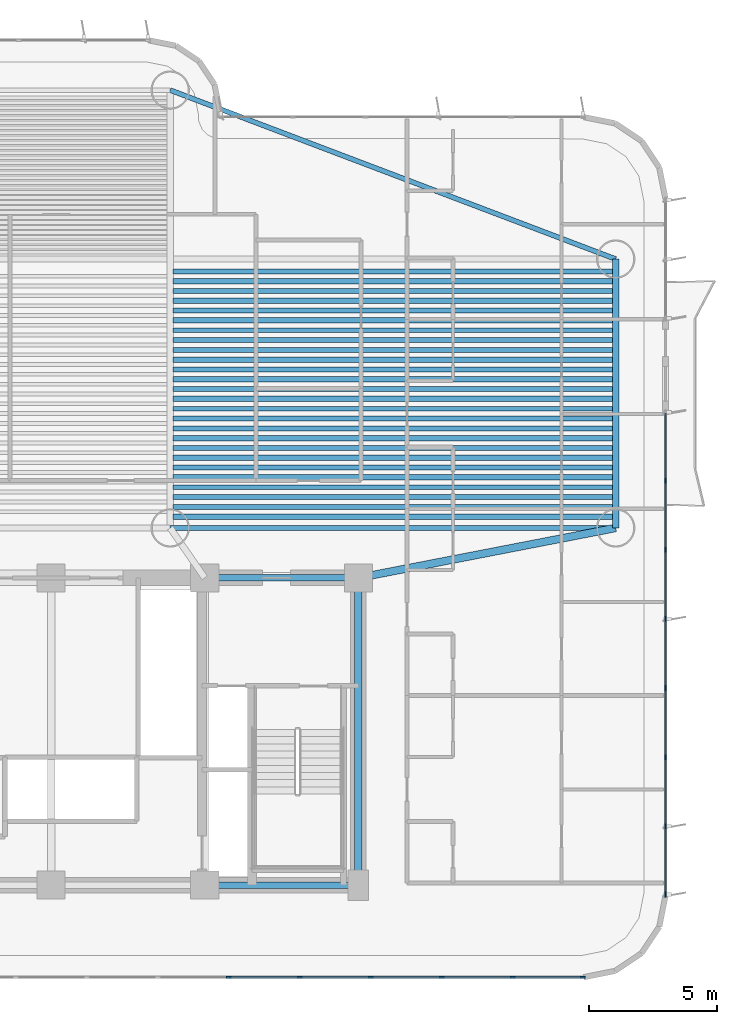
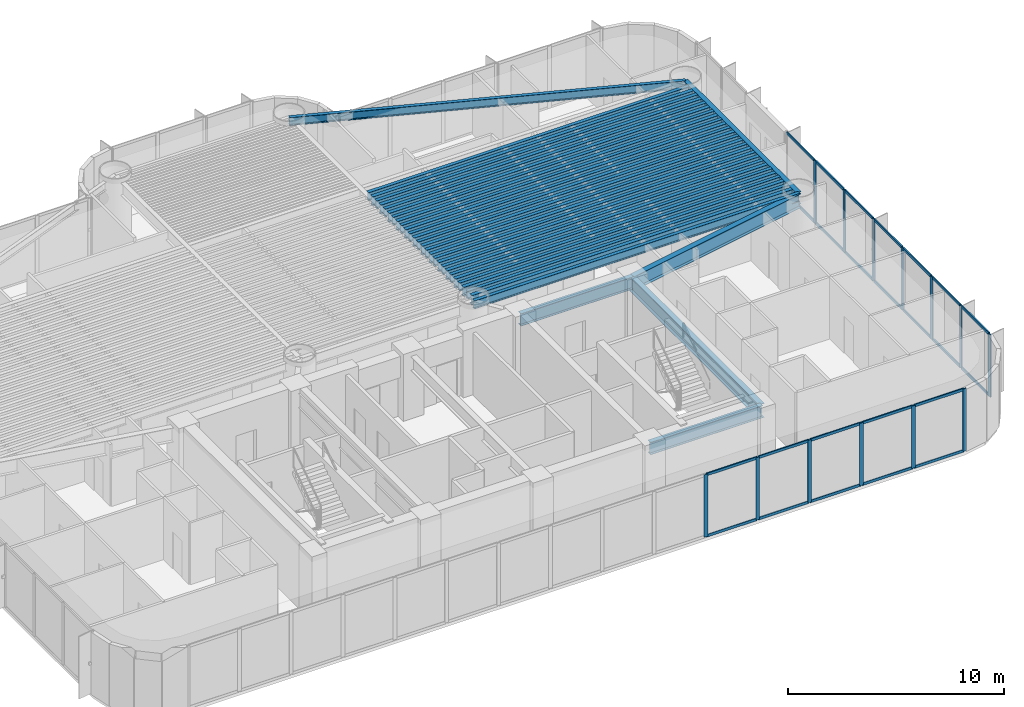
# One storey, part 5 of 19: 37 members, 33 beams, 2 elements without a shape of their own.
"""IFC4 building model written with IfcOpenShell, lengths in metres."""

import ifcopenshell
import ifcopenshell.guid

model = None  # the IFC model being written
_history = None  # IfcOwnerHistory: only IFC2X3 demands one
_inside = {}  # id of a spatial element -> (the spatial element, [elements in it])
_under = {}  # id of a project, library or spatial element -> (it, [spatial elements below it])
_declared = {}  # id of a project -> (the project, [libraries it declares])
_typed = {}  # id of a type object -> (the type object, [elements of that type])
_made_of = {}  # id of a material, layer set ... -> (it, [elements and type objects made of it])


def new_model(schema):
    """Start an empty IFC model of exactly this schema.

    Asked for "IFC4X3", IfcOpenShell would pick the latest addendum, in which some entities
    have other attributes; the version numbers below select the first issue.
    IFC2X3 requires an IfcOwnerHistory on every rooted entity: one is made here for all.
    """
    global model, _history
    if schema == "IFC4X3":
        model = ifcopenshell.file(schema_version=(4, 3, 0, 0))
    else:
        model = ifcopenshell.file(schema=schema)
    _inside.clear()
    _under.clear()
    _declared.clear()
    _typed.clear()
    _made_of.clear()
    _history = None
    if model.schema == "IFC2X3":
        org = make("IfcOrganization", Name="unknown")
        user = make(
            "IfcPersonAndOrganization",
            ThePerson=make("IfcPerson", FamilyName="unknown"),
            TheOrganization=org,
        )
        app = make(
            "IfcApplication",
            ApplicationDeveloper=org,
            Version="unknown",
            ApplicationFullName="unknown",
            ApplicationIdentifier="unknown",
        )
        _history = make(
            "IfcOwnerHistory",
            OwningUser=user,
            OwningApplication=app,
            ChangeAction="ADDED",
            CreationDate=0,
        )
    return model


def make(cls, **values):
    """One entity of the class cls with the attributes given. An attribute that is None is left unset."""
    return model.create_entity(
        cls, **{name: value for name, value in values.items() if value is not None}
    )


def rooted(cls, **values):
    """An entity with a GlobalId (a new one), such as an element, a storey or a relation."""
    return make(cls, GlobalId=ifcopenshell.guid.new(), OwnerHistory=_history, **values)


def si_unit(unit_type, name, prefix=None):
    """IfcSIUnit, for example si_unit("LENGTHUNIT", "METRE", prefix="MILLI")."""
    return make("IfcSIUnit", UnitType=unit_type, Prefix=prefix, Name=name)


def assignment(units):
    """IfcUnitAssignment: the units of a project."""
    return None if units is None else make("IfcUnitAssignment", Units=units)


def point(xyz):
    """IfcCartesianPoint."""
    return None if xyz is None else make("IfcCartesianPoint", Coordinates=xyz)


def direction(xyz):
    """IfcDirection."""
    return None if xyz is None else make("IfcDirection", DirectionRatios=xyz)


def frame(location, z_axis=None, x_axis=None):
    """IfcAxis2Placement3D, a coordinate frame: its origin and axes. An axis left out is left unset."""
    return make(
        "IfcAxis2Placement3D",
        Location=point(location),
        Axis=direction(z_axis),
        RefDirection=direction(x_axis),
    )


def frame_2d(location, x_axis=None):
    """IfcAxis2Placement2D, a coordinate frame in the plane: its origin and x axis."""
    return make(
        "IfcAxis2Placement2D", Location=point(location), RefDirection=direction(x_axis)
    )


def origin():
    """The frame at (0, 0, 0) with its axes left unset."""
    return frame((0.0, 0.0, 0.0))


def origin_2d():
    """The frame at (0, 0) in the plane with its x axis left unset."""
    return frame_2d((0.0, 0.0))


def place(relative_to, where):
    """IfcLocalPlacement: puts the frame where relative to a parent placement (None: the world)."""
    return make(
        "IfcLocalPlacement", PlacementRelTo=relative_to, RelativePlacement=where
    )


def context(
    kind, dimensions, precision=None, world=None, true_north=None, identifier=None
):
    """IfcGeometricRepresentationContext, for example the 3D "Model" context."""
    return make(
        "IfcGeometricRepresentationContext",
        ContextIdentifier=identifier,
        ContextType=kind,
        CoordinateSpaceDimension=dimensions,
        Precision=precision,
        WorldCoordinateSystem=world,
        TrueNorth=true_north,
    )


def subcontext(parent, identifier, kind, view, scale=None):
    """IfcGeometricRepresentationSubContext, for example "Body" below "Model"."""
    return make(
        "IfcGeometricRepresentationSubContext",
        ContextIdentifier=identifier,
        ContextType=kind,
        ParentContext=parent,
        TargetScale=scale,
        TargetView=view,
    )


def project(units=None, contexts=None):
    """IfcProject with its units and contexts."""
    return rooted(
        "IfcProject",
        Name="project",
        RepresentationContexts=contexts,
        UnitsInContext=assignment(units),
    )


def spatial(cls, under=None, at=None, **own):
    """A site, building, storey or space (cls), placed at a placement, below another one or the project."""
    s = rooted(cls, ObjectPlacement=at, **own)
    if under is not None:
        _under.setdefault(under.id(), (under, []))[1].append(s)
    return s


def profile(cls, at=None, kind="AREA", **sizes):
    """A parametric profile (cls). Its sizes go by their IFC names, for example OverallWidth=200.0."""
    return make(cls, ProfileType=kind, Position=at, **sizes)


def rectangle(**sizes):
    """IfcRectangleProfileDef."""
    return profile("IfcRectangleProfileDef", **sizes)


def i_section(**sizes):
    """IfcIShapeProfileDef."""
    return profile("IfcIShapeProfileDef", **sizes)


def extrude(swept, where, along, depth):
    """IfcExtrudedAreaSolid: the profile swept, set in the frame where, extruded along a direction by depth."""
    return make(
        "IfcExtrudedAreaSolid",
        SweptArea=swept,
        Position=where,
        ExtrudedDirection=direction(along),
        Depth=depth,
    )


def shape(context_of_items, identifier, shape_type, items):
    """IfcShapeRepresentation: the items that make up one representation, for example the "Body"."""
    return make(
        "IfcShapeRepresentation",
        ContextOfItems=context_of_items,
        RepresentationIdentifier=identifier,
        RepresentationType=shape_type,
        Items=items,
    )


def source(mapping_origin, context_of_items, identifier, shape_type, items):
    """IfcRepresentationMap: a shape defined once, which mapped items show again and again."""
    return make(
        "IfcRepresentationMap",
        MappingOrigin=mapping_origin,
        MappedRepresentation=shape(context_of_items, identifier, shape_type, items),
    )


def transform(
    local_origin,
    x_axis=None,
    y_axis=None,
    z_axis=None,
    scale=None,
    scale2=None,
    scale3=None,
    uniform=True,
):
    """IfcCartesianTransformationOperator3D, or its non-uniform kind. x_axis, y_axis, z_axis: its Axis1, 2, 3."""
    if uniform:
        return make(
            "IfcCartesianTransformationOperator3D",
            Axis1=direction(x_axis),
            Axis2=direction(y_axis),
            LocalOrigin=point(local_origin),
            Scale=scale,
            Axis3=direction(z_axis),
        )
    return make(
        "IfcCartesianTransformationOperator3DnonUniform",
        Axis1=direction(x_axis),
        Axis2=direction(y_axis),
        LocalOrigin=point(local_origin),
        Scale=scale,
        Axis3=direction(z_axis),
        Scale2=scale2,
        Scale3=scale3,
    )


def mapped(mapping_source, mapping_target):
    """IfcMappedItem: shows the shape of a source again, moved by a transform."""
    return make(
        "IfcMappedItem", MappingSource=mapping_source, MappingTarget=mapping_target
    )


def material(Name=None, Category=None):
    """IfcMaterial."""
    return make("IfcMaterial", Name=Name, Category=Category)


def layer(
    of_material, thickness, ventilated=None, Name=None, Category=None, Priority=None
):
    """IfcMaterialLayer: one layer of a wall or slab, of a material (None: an air gap)."""
    return make(
        "IfcMaterialLayer",
        Material=of_material,
        LayerThickness=thickness,
        IsVentilated=ventilated,
        Name=Name,
        Category=Category,
        Priority=Priority,
    )


def layer_set(layers, Name=None):
    """IfcMaterialLayerSet."""
    return make("IfcMaterialLayerSet", MaterialLayers=layers, LayerSetName=Name)


def material_profile(
    of_material, cross_section, Name=None, Category=None, Priority=None
):
    """IfcMaterialProfile: a cross section and its material."""
    return make(
        "IfcMaterialProfile",
        Name=Name,
        Material=of_material,
        Profile=cross_section,
        Priority=Priority,
        Category=Category,
    )


def profile_set(profiles, Name=None, composite=None):
    """IfcMaterialProfileSet."""
    return make(
        "IfcMaterialProfileSet",
        Name=Name,
        MaterialProfiles=profiles,
        CompositeProfile=composite,
    )


def made_of(thing, what):
    """Note that an element or type object is made of a material, layer set ...; save() writes the relation."""
    if what is not None:
        _made_of.setdefault(what.id(), (what, []))[1].append(thing)
    return thing


def type_object(cls, material=None, **own):
    """A type object (cls), such as IfcWallType, which elements share."""
    return made_of(rooted(cls, **own), material)


def element(
    cls,
    number,
    at=None,
    inside=None,
    cuts=None,
    type_object=None,
    material=None,
    context=None,
    identifier="Body",
    shape_type=None,
    held_by="IfcProductDefinitionShape",
    body=None,
    shapes=None,
    **own,
):
    """One element of the class cls, such as IfcWall. Its Tag is "e" and its number.

    at: its placement. inside: the storey or other place that contains it. cuts: it is an
    opening in that element (IfcRelVoidsElement). A single representation is given by context,
    identifier, shape_type and body (its items); several are given by shapes. held_by: the class
    of the entity that holds the representations. save() writes the other relations.
    """
    e = rooted(cls, Tag="e%d" % number, ObjectPlacement=at, **own)
    if body is not None:
        shapes = [shape(context, identifier, shape_type, body)]
    if shapes is not None:
        e.Representation = make(held_by, Representations=shapes)
    if inside is not None:
        _inside.setdefault(inside.id(), (inside, []))[1].append(e)
    if cuts is not None:
        rooted(
            "IfcRelVoidsElement", RelatingBuildingElement=cuts, RelatedOpeningElement=e
        )
    if type_object is not None:
        _typed.setdefault(type_object.id(), (type_object, []))[1].append(e)
    return made_of(e, material)


def aggregate(whole, parts):
    """IfcRelAggregates: a whole, such as a stair, and the parts it consists of."""
    return rooted("IfcRelAggregates", RelatingObject=whole, RelatedObjects=parts)


def save(model, path):
    """Write the relations noted so far, then the file.

    IfcRelAggregates (storeys below a building ...), IfcRelContainedInSpatialStructure (elements
    in a storey), IfcRelDefinesByType, IfcRelAssociatesMaterial and IfcRelDeclares: one each for
    every whole, place, type object, material and project.
    """
    for whole, parts in _under.values():
        aggregate(whole, parts)
    for where, things in _inside.values():
        rooted(
            "IfcRelContainedInSpatialStructure",
            RelatedElements=things,
            RelatingStructure=where,
        )
    for kind, things in _typed.values():
        rooted("IfcRelDefinesByType", RelatedObjects=things, RelatingType=kind)
    for what, things in _made_of.values():
        rooted("IfcRelAssociatesMaterial", RelatedObjects=things, RelatingMaterial=what)
    for by, libraries in _declared.values():
        rooted("IfcRelDeclares", RelatingContext=by, RelatedDefinitions=libraries)
    model.write(path)


model = new_model("IFC4")

# Units and contexts
model_context = context("Model", 3, precision=1e-05, world=origin(), true_north=direction((0.0, 1.0)))
body_context = subcontext(model_context, "Body", "Model", "MODEL_VIEW")
ifc_project = project(units=[si_unit("LENGTHUNIT", "METRE"), si_unit("AREAUNIT", "SQUARE_METRE"), si_unit("VOLUMEUNIT", "CUBIC_METRE"), si_unit("PLANEANGLEUNIT", "RADIAN"), si_unit("MASSUNIT", "GRAM", prefix="KILO")], contexts=[model_context])

# Site, building, storey
site_placement = place(None, origin())
site = spatial("IfcSite", under=ifc_project, at=site_placement, CompositionType="ELEMENT")
building_placement = place(site_placement, origin())
building = spatial("IfcBuilding", under=site, at=building_placement, Name="Brelvock Crest Care Tower", CompositionType="ELEMENT")
storey_placement = place(building_placement, frame((0.0, 0.0, 30.780029296875)))
storey = spatial("IfcBuildingStorey", under=building, at=storey_placement, Name="L07", CompositionType="ELEMENT", Elevation=30.780029296875)

# Beams
ifc_material_1 = material(Name="Steel Grade 350", Category="steel")
ifc_material_profile_1 = material_profile(ifc_material_1, i_section(OverallWidth=0.25, OverallDepth=0.699951171875, WebThickness=0.011962890625, FlangeThickness=0.02001953125, at=origin_2d()), Name="700WB150")
ifc_profile_set_1 = profile_set([ifc_material_profile_1], Name="Steel Grade 350")
beam_type_1 = type_object("IfcBeamType", Name="BM-G4", PredefinedType="BEAM", material=ifc_profile_set_1)
shared_shape_1 = source(origin(), body_context, "Body", "SweptSolid", [
    extrude(i_section(OverallWidth=0.25, OverallDepth=0.699951171875, WebThickness=0.011962890625, FlangeThickness=0.02001953125, at=origin_2d()), origin(), (0.0, 0.0, 1.0), 6.0),
])
for number, where, z_axis, x_axis, name in (
    (1, (42.0, 6.0, 3.179931640625), (1.0, 0.0, 0.0), (0.0, 1.0, 0.0), "BM-CORES-L07-4"),
    (2, (42.0, 18.0, 3.179931640625), (1.0, 0.0, 0.0), (0.0, 1.0, 0.0), "BM-COREN-L07-4"),
):
    element("IfcBeam", number, at=place(storey_placement, frame(where, z_axis=z_axis, x_axis=x_axis)), inside=storey, type_object=beam_type_1, Name=name, PredefinedType="BEAM", context=body_context, shape_type="MappedRepresentation", body=[
        mapped(shared_shape_1, transform((0.0, 0.0, 0.0), x_axis=(1.0, 0.0, 0.0), y_axis=(0.0, 1.0, 0.0), z_axis=(0.0, 0.0, 1.0), scale=1.0)),
    ])
ifc_material_profile_2 = material_profile(ifc_material_1, i_section(OverallWidth=0.300048828125, OverallDepth=0.800048828125, WebThickness=0.013916015625, FlangeThickness=0.02197265625, at=origin_2d()), Name="800WB192")
ifc_profile_set_2 = profile_set([ifc_material_profile_2], Name="Steel Grade 350")
beam_type_2 = type_object("IfcBeamType", Name="BM-G5", PredefinedType="BEAM", material=ifc_profile_set_2)
shared_shape_2 = source(origin(), body_context, "Body", "SweptSolid", [
    extrude(i_section(OverallWidth=0.300048828125, OverallDepth=0.800048828125, WebThickness=0.013916015625, FlangeThickness=0.02197265625, at=origin_2d()), origin(), (0.0, 0.0, 1.0), 12.0),
])
beam_1_placement = place(storey_placement, frame((48.0, 6.0, 3.1298828125), z_axis=(0.0, 1.0, 0.0), x_axis=(-1.0, 0.0, 0.0)))
element("IfcBeam", 3, at=beam_1_placement, inside=storey, type_object=beam_type_2, Name="BM-COREX-L07-5", PredefinedType="BEAM", context=body_context, shape_type="MappedRepresentation", body=[
    mapped(shared_shape_2, transform((0.0, 0.0, 0.0), x_axis=(1.0, 0.0, 0.0), y_axis=(0.0, 1.0, 0.0), z_axis=(0.0, 0.0, 1.0), scale=1.0)),
])
shared_shape_3 = source(origin(), body_context, "Body", "SweptSolid", [
    extrude(i_section(OverallWidth=0.25, OverallDepth=0.699951171875, WebThickness=0.011962890625, FlangeThickness=0.02001953125, at=origin_2d()), origin(), (0.0, 0.0, 1.0), 10.5),
])
beam_2_placement = place(storey_placement, frame((58.050048828125, 19.949951171875, 3.179931640625), z_axis=(0.0, 1.0, 0.0), x_axis=(-1.0, 0.0, 0.0)))
element("IfcBeam", 4, at=beam_2_placement, inside=storey, type_object=beam_type_1, Name="BM-TWR-L07-02", PredefinedType="BEAM", context=body_context, shape_type="MappedRepresentation", body=[
    mapped(shared_shape_3, transform((0.0, 0.0, 0.0), x_axis=(1.0, 0.0, 0.0), y_axis=(0.0, 1.0, 0.0), z_axis=(0.0, 0.0, 1.0), scale=1.0)),
])
ifc_material_profile_3 = material_profile(ifc_material_1, i_section(OverallWidth=0.19091796875, OverallDepth=0.4599609375, WebThickness=0.010009765625, FlangeThickness=0.01611328125, FilletRadius=0.011474609375, at=origin_2d()), Name="460UB82.1")
ifc_profile_set_3 = profile_set([ifc_material_profile_3], Name="Steel Grade 350")
beam_type_3 = type_object("IfcBeamType", Name="BM-SP2", PredefinedType="SPANDREL", material=ifc_profile_set_3)
shared_shape_4 = source(origin(), body_context, "Body", "SweptSolid", [
    extrude(i_section(OverallWidth=0.19091796875, OverallDepth=0.4599609375, WebThickness=0.010009765625, FlangeThickness=0.01611328125, FilletRadius=0.011474609375, at=origin_2d()), origin(), (0.0, 0.0, 1.0), 17.400146484375),
])
beam_3_placement = place(storey_placement, frame((40.64990234375, 19.949951171875, 3.300048828125), z_axis=(1.0, 0.0, 0.0), x_axis=(0.0, 1.0, 0.0)))
element("IfcBeam", 5, at=beam_3_placement, inside=storey, type_object=beam_type_3, Name="BM-TWR-L07-04", PredefinedType="SPANDREL", context=body_context, shape_type="MappedRepresentation", body=[
    mapped(shared_shape_4, transform((0.0, 0.0, 0.0), x_axis=(1.0, 0.0, 0.0), y_axis=(0.0, 1.0, 0.0), z_axis=(0.0, 0.0, 1.0), scale=1.0)),
])
shared_shape_5 = source(origin(), body_context, "Body", "SweptSolid", [
    extrude(i_section(OverallWidth=0.19091796875, OverallDepth=0.4599609375, WebThickness=0.010009765625, FlangeThickness=0.01611328125, FilletRadius=0.011474609375, at=origin_2d()), origin(), (0.0, 0.0, 1.0), 18.60986328125),
])
beam_4_placement = place(storey_placement, frame((40.64990234375, 37.050048828125, 3.300048828125), z_axis=(0.934996776275, -0.3546562115, 0.0), x_axis=(0.3546562115, 0.934996776275, 0.0)))
element("IfcBeam", 6, at=beam_4_placement, inside=storey, type_object=beam_type_3, Name="BM-TWR-L07-07", PredefinedType="SPANDREL", context=body_context, shape_type="MappedRepresentation", body=[
    mapped(shared_shape_5, transform((0.0, 0.0, 0.0), x_axis=(1.0, 0.0, 0.0), y_axis=(0.0, 1.0, 0.0), z_axis=(0.0, 0.0, 1.0), scale=1.0)),
])
shared_shape_6 = source(origin(), body_context, "Body", "SweptSolid", [
    extrude(i_section(OverallWidth=0.300048828125, OverallDepth=0.800048828125, WebThickness=0.013916015625, FlangeThickness=0.02197265625, at=origin_2d()), origin(), (0.0, 0.0, 1.0), 10.237548828125),
])
beam_5_placement = place(storey_placement, frame((48.0, 18.0, 3.1298828125), z_axis=(0.981692632568, 0.190471979991, 0.0), x_axis=(-0.190471979991, 0.981692632568, 0.0)))
element("IfcBeam", 7, at=beam_5_placement, inside=storey, type_object=beam_type_2, Name="BM-THRO-E-L07", PredefinedType="BEAM", context=body_context, shape_type="MappedRepresentation", body=[
    mapped(shared_shape_6, transform((0.0, 0.0, 0.0), x_axis=(1.0, 0.0, 0.0), y_axis=(0.0, 1.0, 0.0), z_axis=(0.0, 0.0, 1.0), scale=1.0)),
])
ifc_material_profile_4 = material_profile(ifc_material_1, i_section(OverallWidth=0.208984375, OverallDepth=0.532958984375, WebThickness=0.01025390625, FlangeThickness=0.015625, FilletRadius=0.013916015625, at=origin_2d()), Name="530UB92.4")
ifc_profile_set_4 = profile_set([ifc_material_profile_4], Name="Steel Grade 350")
beam_type_4 = type_object("IfcBeamType", Name="BM-G2", PredefinedType="BEAM", material=ifc_profile_set_4)
shared_shape_7 = source(origin(), body_context, "Body", "SweptSolid", [
    extrude(i_section(OverallWidth=0.208984375, OverallDepth=0.532958984375, WebThickness=0.01025390625, FlangeThickness=0.015625, FilletRadius=0.013916015625, at=origin_2d()), origin(), (0.0, 0.0, 1.0), 17.170166015625),
])
for number, where, z_axis, x_axis, name in (
    (8, (40.764892578125, 20.39111328125, 3.263427734375), (1.0, 0.0, 0.0), (0.0, 1.0, 0.0), "BM-JE-L07-1"),
    (9, (40.764892578125, 21.157470703125, 3.263427734375), (1.0, 0.0, 0.0), (0.0, 1.0, 0.0), "BM-JE-L07-3"),
    (10, (40.764892578125, 21.924072265625, 3.263427734375), (1.0, 0.0, 0.0), (0.0, 1.0, 0.0), "BM-JE-L07-5"),
    (11, (40.764892578125, 22.6904296875, 3.263427734375), (1.0, 0.0, 0.0), (0.0, 1.0, 0.0), "BM-JE-L07-7"),
    (12, (40.764892578125, 23.45703125, 3.263427734375), (1.0, 0.0, 0.0), (0.0, 1.0, 0.0), "BM-JE-L07-9"),
    (13, (40.764892578125, 24.223388671875, 3.263427734375), (1.0, 0.0, 0.0), (0.0, 1.0, 0.0), "BM-JE-L07-11"),
    (14, (40.764892578125, 24.989990234375, 3.263427734375), (1.0, 0.0, 0.0), (0.0, 1.0, 0.0), "BM-JE-L07-13"),
    (15, (40.764892578125, 25.756591796875, 3.263427734375), (1.0, 0.0, 0.0), (0.0, 1.0, 0.0), "BM-JE-L07-15"),
    (16, (40.764892578125, 26.52294921875, 3.263427734375), (1.0, 0.0, 0.0), (0.0, 1.0, 0.0), "BM-JE-L07-17"),
    (17, (40.764892578125, 27.28955078125, 3.263427734375), (1.0, 0.0, 0.0), (0.0, 1.0, 0.0), "BM-JE-L07-19"),
    (18, (40.764892578125, 28.055908203125, 3.263427734375), (1.0, 0.0, 0.0), (0.0, 1.0, 0.0), "BM-JE-L07-21"),
    (19, (40.764892578125, 28.822509765625, 3.263427734375), (1.0, 0.0, 0.0), (0.0, 1.0, 0.0), "BM-JE-L07-23"),
    (20, (40.764892578125, 29.589111328125, 3.263427734375), (1.0, 0.0, 0.0), (0.0, 1.0, 0.0), "BM-JE-L07-25"),
):
    element("IfcBeam", number, at=place(storey_placement, frame(where, z_axis=z_axis, x_axis=x_axis)), inside=storey, type_object=beam_type_4, Name=name, PredefinedType="BEAM", context=body_context, shape_type="MappedRepresentation", body=[
        mapped(shared_shape_7, transform((0.0, 0.0, 0.0), x_axis=(1.0, 0.0, 0.0), y_axis=(0.0, 1.0, 0.0), z_axis=(0.0, 0.0, 1.0), scale=1.0)),
    ])
ifc_material_profile_5 = material_profile(ifc_material_1, i_section(OverallWidth=0.19091796875, OverallDepth=0.4599609375, WebThickness=0.010009765625, FlangeThickness=0.01611328125, FilletRadius=0.011474609375, at=origin_2d()), Name="460UB82.1")
ifc_profile_set_5 = profile_set([ifc_material_profile_5], Name="Steel Grade 350")
beam_type_5 = type_object("IfcBeamType", Name="BM-G3", PredefinedType="BEAM", material=ifc_profile_set_5)
shared_shape_8 = source(origin(), body_context, "Body", "SweptSolid", [
    extrude(i_section(OverallWidth=0.19091796875, OverallDepth=0.4599609375, WebThickness=0.010009765625, FlangeThickness=0.01611328125, FilletRadius=0.011474609375, at=origin_2d()), origin(), (0.0, 0.0, 1.0), 17.170166015625),
])
for number, where, z_axis, x_axis, name in (
    (21, (40.764892578125, 20.774169921875, 3.300048828125), (1.0, 0.0, 0.0), (0.0, 1.0, 0.0), "BM-JE-L07-2"),
    (22, (40.764892578125, 21.540771484375, 3.300048828125), (1.0, 0.0, 0.0), (0.0, 1.0, 0.0), "BM-JE-L07-4"),
    (23, (40.764892578125, 22.30712890625, 3.300048828125), (1.0, 0.0, 0.0), (0.0, 1.0, 0.0), "BM-JE-L07-6"),
    (24, (40.764892578125, 23.07373046875, 3.300048828125), (1.0, 0.0, 0.0), (0.0, 1.0, 0.0), "BM-JE-L07-8"),
    (25, (40.764892578125, 23.840087890625, 3.300048828125), (1.0, 0.0, 0.0), (0.0, 1.0, 0.0), "BM-JE-L07-10"),
    (26, (40.764892578125, 24.606689453125, 3.300048828125), (1.0, 0.0, 0.0), (0.0, 1.0, 0.0), "BM-JE-L07-12"),
    (27, (40.764892578125, 25.373291015625, 3.300048828125), (1.0, 0.0, 0.0), (0.0, 1.0, 0.0), "BM-JE-L07-14"),
    (28, (40.764892578125, 26.1396484375, 3.300048828125), (1.0, 0.0, 0.0), (0.0, 1.0, 0.0), "BM-JE-L07-16"),
    (29, (40.764892578125, 26.90625, 3.300048828125), (1.0, 0.0, 0.0), (0.0, 1.0, 0.0), "BM-JE-L07-18"),
    (30, (40.764892578125, 27.6728515625, 3.300048828125), (1.0, 0.0, 0.0), (0.0, 1.0, 0.0), "BM-JE-L07-20"),
    (31, (40.764892578125, 28.439208984375, 3.300048828125), (1.0, 0.0, 0.0), (0.0, 1.0, 0.0), "BM-JE-L07-22"),
    (32, (40.764892578125, 29.205810546875, 3.300048828125), (1.0, 0.0, 0.0), (0.0, 1.0, 0.0), "BM-JE-L07-24"),
    (33, (40.764892578125, 29.97216796875, 3.300048828125), (1.0, 0.0, 0.0), (0.0, 1.0, 0.0), "BM-JE-L07-26"),
):
    element("IfcBeam", number, at=place(storey_placement, frame(where, z_axis=z_axis, x_axis=x_axis)), inside=storey, type_object=beam_type_5, Name=name, PredefinedType="BEAM", context=body_context, shape_type="MappedRepresentation", body=[
        mapped(shared_shape_8, transform((0.0, 0.0, 0.0), x_axis=(1.0, 0.0, 0.0), y_axis=(0.0, 1.0, 0.0), z_axis=(0.0, 0.0, 1.0), scale=1.0)),
    ])

# Curtain wall, members
ifc_material_2 = material(Name="Dark Glass Double Glazed Low-E", Category="glass")
ifc_layer = layer(ifc_material_2, 0.195068359375, Name="CWS-2")
ifc_layer_set = layer_set([ifc_layer], Name="Dark Glass Double Glazed Low-E")
curtain_wall_type = type_object("IfcCurtainWallType", Name="CWS-2", PredefinedType="NOTDEFINED", material=ifc_layer_set)
curtain_wall_1_placement = place(storey_placement, origin())
curtain_wall_1 = element("IfcCurtainWall", 34, at=curtain_wall_1_placement, inside=storey, type_object=curtain_wall_type, Name="L07 Curtain Wall E03B", PredefinedType="NOTDEFINED")
ifc_material_3 = material(Name="Aluminium 6063-T6", Category="aluminium")
ifc_material_profile_6 = material_profile(ifc_material_3, rectangle(XDim=0.06494140625, YDim=0.199951171875, at=origin_2d()), Name="ALU65x200")
ifc_profile_set_6 = profile_set([ifc_material_profile_6], Name="Aluminium 6063-T6")
member_type_1 = type_object("IfcMemberType", Name="CWM-1", PredefinedType="MULLION", material=ifc_profile_set_6)
shared_shape_9 = source(origin(), body_context, "Body", "SweptSolid", [
    extrude(rectangle(XDim=0.06494140625, YDim=0.199951171875, at=origin_2d()), origin(), (0.0, 0.0, 1.0), 3.530029296875),
])
member_1_placement = place(storey_placement, frame((60.0, 21.800048828125, 0.0), z_axis=(0.0, 0.0, 1.0), x_axis=(1.0, 0.0, 0.0)))
member_1 = element("IfcMember", 35, at=member_1_placement, type_object=member_type_1, Name="CW-2 mullion 2", PredefinedType="MULLION", context=body_context, shape_type="MappedRepresentation", body=[
    mapped(shared_shape_9, transform((0.0, 0.0, 0.0), x_axis=(1.0, 0.0, 0.0), y_axis=(0.0, 1.0, 0.0), z_axis=(0.0, 0.0, 1.0), scale=1.0)),
])
member_2_placement = place(storey_placement, frame((60.0, 19.10009765625, 0.0), z_axis=(0.0, 0.0, 1.0), x_axis=(1.0, 0.0, 0.0)))
member_2 = element("IfcMember", 36, at=member_2_placement, type_object=member_type_1, Name="CW-2 mullion 3", PredefinedType="MULLION", context=body_context, shape_type="MappedRepresentation", body=[
    mapped(shared_shape_9, transform((0.0, 0.0, 0.0), x_axis=(1.0, 0.0, 0.0), y_axis=(0.0, 1.0, 0.0), z_axis=(0.0, 0.0, 1.0), scale=1.0)),
])
member_3_placement = place(storey_placement, frame((60.0, 16.39990234375, 0.0), z_axis=(0.0, 0.0, 1.0), x_axis=(1.0, 0.0, 0.0)))
member_3 = element("IfcMember", 37, at=member_3_placement, type_object=member_type_1, Name="CW-2 mullion 4", PredefinedType="MULLION", context=body_context, shape_type="MappedRepresentation", body=[
    mapped(shared_shape_9, transform((0.0, 0.0, 0.0), x_axis=(1.0, 0.0, 0.0), y_axis=(0.0, 1.0, 0.0), z_axis=(0.0, 0.0, 1.0), scale=1.0)),
])
member_4_placement = place(storey_placement, frame((60.0, 13.699951171875, 0.0), z_axis=(0.0, 0.0, 1.0), x_axis=(1.0, 0.0, 0.0)))
member_4 = element("IfcMember", 38, at=member_4_placement, type_object=member_type_1, Name="CW-2 mullion 5", PredefinedType="MULLION", context=body_context, shape_type="MappedRepresentation", body=[
    mapped(shared_shape_9, transform((0.0, 0.0, 0.0), x_axis=(1.0, 0.0, 0.0), y_axis=(0.0, 1.0, 0.0), z_axis=(0.0, 0.0, 1.0), scale=1.0)),
])
member_5_placement = place(storey_placement, frame((60.0, 11.0, 0.0), z_axis=(0.0, 0.0, 1.0), x_axis=(1.0, 0.0, 0.0)))
member_5 = element("IfcMember", 39, at=member_5_placement, type_object=member_type_1, Name="CW-2 mullion 6", PredefinedType="MULLION", context=body_context, shape_type="MappedRepresentation", body=[
    mapped(shared_shape_9, transform((0.0, 0.0, 0.0), x_axis=(1.0, 0.0, 0.0), y_axis=(0.0, 1.0, 0.0), z_axis=(0.0, 0.0, 1.0), scale=1.0)),
])
member_6_placement = place(storey_placement, frame((60.0, 8.300048828125, 0.0), z_axis=(0.0, 0.0, 1.0), x_axis=(1.0, 0.0, 0.0)))
member_6 = element("IfcMember", 40, at=member_6_placement, type_object=member_type_1, Name="CW-2 mullion 7", PredefinedType="MULLION", context=body_context, shape_type="MappedRepresentation", body=[
    mapped(shared_shape_9, transform((0.0, 0.0, 0.0), x_axis=(1.0, 0.0, 0.0), y_axis=(0.0, 1.0, 0.0), z_axis=(0.0, 0.0, 1.0), scale=1.0)),
])
member_7_placement = place(storey_placement, frame((60.0, 5.632568359375, 0.0), z_axis=(0.0, 0.0, 1.0), x_axis=(1.0, 0.0, 0.0)))
member_7 = element("IfcMember", 41, at=member_7_placement, type_object=member_type_1, Name="CW-2 mullion 8", PredefinedType="MULLION", context=body_context, shape_type="MappedRepresentation", body=[
    mapped(shared_shape_9, transform((0.0, 0.0, 0.0), x_axis=(1.0, 0.0, 0.0), y_axis=(0.0, 1.0, 0.0), z_axis=(0.0, 0.0, 1.0), scale=1.0)),
])

curtain_wall_2_placement = place(storey_placement, origin())
curtain_wall_2 = element("IfcCurtainWall", 42, at=curtain_wall_2_placement, inside=storey, type_object=curtain_wall_type, Name="L07 Curtain Wall E08", PredefinedType="NOTDEFINED")
member_8_placement = place(storey_placement, frame((56.767578125, 2.39990234375, 0.0), z_axis=(0.0, 0.0, 1.0), x_axis=(0.0, -1.0, 0.0)))
member_8 = element("IfcMember", 43, at=member_8_placement, type_object=member_type_1, Name="CW-2 mullion 1", PredefinedType="MULLION", context=body_context, shape_type="MappedRepresentation", body=[
    mapped(shared_shape_9, transform((0.0, 0.0, 0.0), x_axis=(1.0, 0.0, 0.0), y_axis=(0.0, 1.0, 0.0), z_axis=(0.0, 0.0, 1.0), scale=1.0)),
])
member_9_placement = place(storey_placement, frame((54.026611328125, 2.39990234375, 0.0), z_axis=(0.0, 0.0, 1.0), x_axis=(0.0, -1.0, 0.0)))
member_9 = element("IfcMember", 44, at=member_9_placement, type_object=member_type_1, Name="CW-2 mullion 2", PredefinedType="MULLION", context=body_context, shape_type="MappedRepresentation", body=[
    mapped(shared_shape_9, transform((0.0, 0.0, 0.0), x_axis=(1.0, 0.0, 0.0), y_axis=(0.0, 1.0, 0.0), z_axis=(0.0, 0.0, 1.0), scale=1.0)),
])
member_10_placement = place(storey_placement, frame((51.25341796875, 2.39990234375, 0.0), z_axis=(0.0, 0.0, 1.0), x_axis=(0.0, -1.0, 0.0)))
member_10 = element("IfcMember", 45, at=member_10_placement, type_object=member_type_1, Name="CW-2 mullion 3", PredefinedType="MULLION", context=body_context, shape_type="MappedRepresentation", body=[
    mapped(shared_shape_9, transform((0.0, 0.0, 0.0), x_axis=(1.0, 0.0, 0.0), y_axis=(0.0, 1.0, 0.0), z_axis=(0.0, 0.0, 1.0), scale=1.0)),
])
member_11_placement = place(storey_placement, frame((48.47998046875, 2.39990234375, 0.0), z_axis=(0.0, 0.0, 1.0), x_axis=(0.0, -1.0, 0.0)))
member_11 = element("IfcMember", 46, at=member_11_placement, type_object=member_type_1, Name="CW-2 mullion 4", PredefinedType="MULLION", context=body_context, shape_type="MappedRepresentation", body=[
    mapped(shared_shape_9, transform((0.0, 0.0, 0.0), x_axis=(1.0, 0.0, 0.0), y_axis=(0.0, 1.0, 0.0), z_axis=(0.0, 0.0, 1.0), scale=1.0)),
])
member_12_placement = place(storey_placement, frame((45.706787109375, 2.39990234375, 0.0), z_axis=(0.0, 0.0, 1.0), x_axis=(0.0, -1.0, 0.0)))
member_12 = element("IfcMember", 47, at=member_12_placement, type_object=member_type_1, Name="CW-2 mullion 5", PredefinedType="MULLION", context=body_context, shape_type="MappedRepresentation", body=[
    mapped(shared_shape_9, transform((0.0, 0.0, 0.0), x_axis=(1.0, 0.0, 0.0), y_axis=(0.0, 1.0, 0.0), z_axis=(0.0, 0.0, 1.0), scale=1.0)),
])
member_13_placement = place(storey_placement, frame((42.933349609375, 2.39990234375, 0.0), z_axis=(0.0, 0.0, 1.0), x_axis=(0.0, -1.0, 0.0)))
member_13 = element("IfcMember", 48, at=member_13_placement, type_object=member_type_1, Name="CW-2 mullion 6", PredefinedType="MULLION", context=body_context, shape_type="MappedRepresentation", body=[
    mapped(shared_shape_9, transform((0.0, 0.0, 0.0), x_axis=(1.0, 0.0, 0.0), y_axis=(0.0, 1.0, 0.0), z_axis=(0.0, 0.0, 1.0), scale=1.0)),
])
ifc_material_profile_7 = material_profile(ifc_material_3, rectangle(XDim=0.06494140625, YDim=0.14990234375, at=origin_2d()), Name="ALU65x150")
ifc_profile_set_7 = profile_set([ifc_material_profile_7], Name="Aluminium 6063-T6")
member_type_2 = type_object("IfcMemberType", Name="CWT-1", PredefinedType="USERDEFINED", material=ifc_profile_set_7)
shared_shape_10 = source(origin(), body_context, "Body", "SweptSolid", [
    extrude(rectangle(XDim=0.06494140625, YDim=0.14990234375, at=origin_2d()), origin(), (0.0, 0.0, 1.0), 2.676025390625),
])
member_14_placement = place(storey_placement, frame((56.735107421875, 2.39990234375, 0.032470703125), z_axis=(-1.0, 0.0, 0.0), x_axis=(0.0, -1.0, 0.0)))
member_14 = element("IfcMember", 49, at=member_14_placement, type_object=member_type_2, Name="CW-2 transom 1.1", ObjectType="TRANSOM", PredefinedType="USERDEFINED", context=body_context, shape_type="MappedRepresentation", body=[
    mapped(shared_shape_10, transform((0.0, 0.0, 0.0), x_axis=(1.0, 0.0, 0.0), y_axis=(0.0, 1.0, 0.0), z_axis=(0.0, 0.0, 1.0), scale=1.0)),
])
member_15_placement = place(storey_placement, frame((56.735107421875, 2.39990234375, 3.49755859375), z_axis=(-1.0, 0.0, 0.0), x_axis=(0.0, -1.0, 0.0)))
member_15 = element("IfcMember", 50, at=member_15_placement, type_object=member_type_2, Name="CW-2 transom 1.2", ObjectType="TRANSOM", PredefinedType="USERDEFINED", context=body_context, shape_type="MappedRepresentation", body=[
    mapped(shared_shape_10, transform((0.0, 0.0, 0.0), x_axis=(1.0, 0.0, 0.0), y_axis=(0.0, 1.0, 0.0), z_axis=(0.0, 0.0, 1.0), scale=1.0)),
])
shared_shape_11 = source(origin(), body_context, "Body", "SweptSolid", [
    extrude(rectangle(XDim=0.06494140625, YDim=0.14990234375, at=origin_2d()), origin(), (0.0, 0.0, 1.0), 2.708251953125),
])
member_16_placement = place(storey_placement, frame((53.994140625, 2.39990234375, 0.032470703125), z_axis=(-1.0, 0.0, 0.0), x_axis=(0.0, -1.0, 0.0)))
member_16 = element("IfcMember", 51, at=member_16_placement, type_object=member_type_2, Name="CW-2 transom 2.1", ObjectType="TRANSOM", PredefinedType="USERDEFINED", context=body_context, shape_type="MappedRepresentation", body=[
    mapped(shared_shape_11, transform((0.0, 0.0, 0.0), x_axis=(1.0, 0.0, 0.0), y_axis=(0.0, 1.0, 0.0), z_axis=(0.0, 0.0, 1.0), scale=1.0)),
])
member_17_placement = place(storey_placement, frame((53.994140625, 2.39990234375, 3.49755859375), z_axis=(-1.0, 0.0, 0.0), x_axis=(0.0, -1.0, 0.0)))
member_17 = element("IfcMember", 52, at=member_17_placement, type_object=member_type_2, Name="CW-2 transom 2.2", ObjectType="TRANSOM", PredefinedType="USERDEFINED", context=body_context, shape_type="MappedRepresentation", body=[
    mapped(shared_shape_11, transform((0.0, 0.0, 0.0), x_axis=(1.0, 0.0, 0.0), y_axis=(0.0, 1.0, 0.0), z_axis=(0.0, 0.0, 1.0), scale=1.0)),
])
member_18_placement = place(storey_placement, frame((48.447509765625, 2.39990234375, 0.032470703125), z_axis=(-1.0, 0.0, 0.0), x_axis=(0.0, -1.0, 0.0)))
member_18 = element("IfcMember", 53, at=member_18_placement, type_object=member_type_2, Name="CW-2 transom 4.1", ObjectType="TRANSOM", PredefinedType="USERDEFINED", context=body_context, shape_type="MappedRepresentation", body=[
    mapped(shared_shape_11, transform((0.0, 0.0, 0.0), x_axis=(1.0, 0.0, 0.0), y_axis=(0.0, 1.0, 0.0), z_axis=(0.0, 0.0, 1.0), scale=1.0)),
])
member_19_placement = place(storey_placement, frame((48.447509765625, 2.39990234375, 3.49755859375), z_axis=(-1.0, 0.0, 0.0), x_axis=(0.0, -1.0, 0.0)))
member_19 = element("IfcMember", 54, at=member_19_placement, type_object=member_type_2, Name="CW-2 transom 4.2", ObjectType="TRANSOM", PredefinedType="USERDEFINED", context=body_context, shape_type="MappedRepresentation", body=[
    mapped(shared_shape_11, transform((0.0, 0.0, 0.0), x_axis=(1.0, 0.0, 0.0), y_axis=(0.0, 1.0, 0.0), z_axis=(0.0, 0.0, 1.0), scale=1.0)),
])
member_20_placement = place(storey_placement, frame((45.674072265625, 2.39990234375, 0.032470703125), z_axis=(-1.0, 0.0, 0.0), x_axis=(0.0, -1.0, 0.0)))
member_20 = element("IfcMember", 55, at=member_20_placement, type_object=member_type_2, Name="CW-2 transom 5.1", ObjectType="TRANSOM", PredefinedType="USERDEFINED", context=body_context, shape_type="MappedRepresentation", body=[
    mapped(shared_shape_11, transform((0.0, 0.0, 0.0), x_axis=(1.0, 0.0, 0.0), y_axis=(0.0, 1.0, 0.0), z_axis=(0.0, 0.0, 1.0), scale=1.0)),
])
member_21_placement = place(storey_placement, frame((45.674072265625, 2.39990234375, 3.49755859375), z_axis=(-1.0, 0.0, 0.0), x_axis=(0.0, -1.0, 0.0)))
member_21 = element("IfcMember", 56, at=member_21_placement, type_object=member_type_2, Name="CW-2 transom 5.2", ObjectType="TRANSOM", PredefinedType="USERDEFINED", context=body_context, shape_type="MappedRepresentation", body=[
    mapped(shared_shape_11, transform((0.0, 0.0, 0.0), x_axis=(1.0, 0.0, 0.0), y_axis=(0.0, 1.0, 0.0), z_axis=(0.0, 0.0, 1.0), scale=1.0)),
])
shared_shape_12 = source(origin(), body_context, "Body", "SweptSolid", [
    extrude(rectangle(XDim=0.06494140625, YDim=0.14990234375, at=origin_2d()), origin(), (0.0, 0.0, 1.0), 2.70849609375),
])
member_22_placement = place(storey_placement, frame((51.220947265625, 2.39990234375, 0.032470703125), z_axis=(-1.0, 0.0, 0.0), x_axis=(0.0, -1.0, 0.0)))
member_22 = element("IfcMember", 57, at=member_22_placement, type_object=member_type_2, Name="CW-2 transom 3.1", ObjectType="TRANSOM", PredefinedType="USERDEFINED", context=body_context, shape_type="MappedRepresentation", body=[
    mapped(shared_shape_12, transform((0.0, 0.0, 0.0), x_axis=(1.0, 0.0, 0.0), y_axis=(0.0, 1.0, 0.0), z_axis=(0.0, 0.0, 1.0), scale=1.0)),
])
member_23_placement = place(storey_placement, frame((51.220947265625, 2.39990234375, 3.49755859375), z_axis=(-1.0, 0.0, 0.0), x_axis=(0.0, -1.0, 0.0)))
member_23 = element("IfcMember", 58, at=member_23_placement, type_object=member_type_2, Name="CW-2 transom 3.2", ObjectType="TRANSOM", PredefinedType="USERDEFINED", context=body_context, shape_type="MappedRepresentation", body=[
    mapped(shared_shape_12, transform((0.0, 0.0, 0.0), x_axis=(1.0, 0.0, 0.0), y_axis=(0.0, 1.0, 0.0), z_axis=(0.0, 0.0, 1.0), scale=1.0)),
])
aggregate(curtain_wall_2, [member_8, member_9, member_10, member_11, member_12, member_13, member_14, member_15, member_16, member_17, member_22, member_23, member_18, member_19, member_20, member_21])

# Member
shared_shape_13 = source(origin(), body_context, "Body", "SweptSolid", [
    extrude(rectangle(XDim=0.06494140625, YDim=0.14990234375, at=origin_2d()), origin(), (0.0, 0.0, 1.0), 2.6025390625),
])
member_24_placement = place(storey_placement, frame((60.0, 24.43505859375, 0.032470703125), z_axis=(0.0, -1.0, 0.0), x_axis=(1.0, 0.0, 0.0)))
member_24 = element("IfcMember", 59, at=member_24_placement, type_object=member_type_2, Name="CW-2 transom 1.1", ObjectType="TRANSOM", PredefinedType="USERDEFINED", context=body_context, shape_type="MappedRepresentation", body=[
    mapped(shared_shape_13, transform((0.0, 0.0, 0.0), x_axis=(1.0, 0.0, 0.0), y_axis=(0.0, 1.0, 0.0), z_axis=(0.0, 0.0, 1.0), scale=1.0)),
])

member_25_placement = place(storey_placement, frame((60.0, 24.43505859375, 3.49755859375), z_axis=(0.0, -1.0, 0.0), x_axis=(1.0, 0.0, 0.0)))
member_25 = element("IfcMember", 60, at=member_25_placement, type_object=member_type_2, Name="CW-2 transom 1.2", ObjectType="TRANSOM", PredefinedType="USERDEFINED", context=body_context, shape_type="MappedRepresentation", body=[
    mapped(shared_shape_13, transform((0.0, 0.0, 0.0), x_axis=(1.0, 0.0, 0.0), y_axis=(0.0, 1.0, 0.0), z_axis=(0.0, 0.0, 1.0), scale=1.0)),
])

member_26_placement = place(storey_placement, frame((60.0, 8.267578125, 0.032470703125), z_axis=(0.0, -1.0, 0.0), x_axis=(1.0, 0.0, 0.0)))
member_26 = element("IfcMember", 61, at=member_26_placement, type_object=member_type_2, Name="CW-2 transom 7.1", ObjectType="TRANSOM", PredefinedType="USERDEFINED", context=body_context, shape_type="MappedRepresentation", body=[
    mapped(shared_shape_13, transform((0.0, 0.0, 0.0), x_axis=(1.0, 0.0, 0.0), y_axis=(0.0, 1.0, 0.0), z_axis=(0.0, 0.0, 1.0), scale=1.0)),
])

member_27_placement = place(storey_placement, frame((60.0, 8.267578125, 3.49755859375), z_axis=(0.0, -1.0, 0.0), x_axis=(1.0, 0.0, 0.0)))
member_27 = element("IfcMember", 62, at=member_27_placement, type_object=member_type_2, Name="CW-2 transom 7.2", ObjectType="TRANSOM", PredefinedType="USERDEFINED", context=body_context, shape_type="MappedRepresentation", body=[
    mapped(shared_shape_13, transform((0.0, 0.0, 0.0), x_axis=(1.0, 0.0, 0.0), y_axis=(0.0, 1.0, 0.0), z_axis=(0.0, 0.0, 1.0), scale=1.0)),
])

shared_shape_14 = source(origin(), body_context, "Body", "SweptSolid", [
    extrude(rectangle(XDim=0.06494140625, YDim=0.14990234375, at=origin_2d()), origin(), (0.0, 0.0, 1.0), 2.635009765625),
])
member_28_placement = place(storey_placement, frame((60.0, 21.767578125, 0.032470703125), z_axis=(0.0, -1.0, 0.0), x_axis=(1.0, 0.0, 0.0)))
member_28 = element("IfcMember", 63, at=member_28_placement, type_object=member_type_2, Name="CW-2 transom 2.1", ObjectType="TRANSOM", PredefinedType="USERDEFINED", context=body_context, shape_type="MappedRepresentation", body=[
    mapped(shared_shape_14, transform((0.0, 0.0, 0.0), x_axis=(1.0, 0.0, 0.0), y_axis=(0.0, 1.0, 0.0), z_axis=(0.0, 0.0, 1.0), scale=1.0)),
])

member_29_placement = place(storey_placement, frame((60.0, 21.767578125, 3.49755859375), z_axis=(0.0, -1.0, 0.0), x_axis=(1.0, 0.0, 0.0)))
member_29 = element("IfcMember", 64, at=member_29_placement, type_object=member_type_2, Name="CW-2 transom 2.2", ObjectType="TRANSOM", PredefinedType="USERDEFINED", context=body_context, shape_type="MappedRepresentation", body=[
    mapped(shared_shape_14, transform((0.0, 0.0, 0.0), x_axis=(1.0, 0.0, 0.0), y_axis=(0.0, 1.0, 0.0), z_axis=(0.0, 0.0, 1.0), scale=1.0)),
])

member_30_placement = place(storey_placement, frame((60.0, 16.367431640625, 0.032470703125), z_axis=(0.0, -1.0, 0.0), x_axis=(1.0, 0.0, 0.0)))
member_30 = element("IfcMember", 65, at=member_30_placement, type_object=member_type_2, Name="CW-2 transom 4.1", ObjectType="TRANSOM", PredefinedType="USERDEFINED", context=body_context, shape_type="MappedRepresentation", body=[
    mapped(shared_shape_14, transform((0.0, 0.0, 0.0), x_axis=(1.0, 0.0, 0.0), y_axis=(0.0, 1.0, 0.0), z_axis=(0.0, 0.0, 1.0), scale=1.0)),
])

member_31_placement = place(storey_placement, frame((60.0, 16.367431640625, 3.49755859375), z_axis=(0.0, -1.0, 0.0), x_axis=(1.0, 0.0, 0.0)))
member_31 = element("IfcMember", 66, at=member_31_placement, type_object=member_type_2, Name="CW-2 transom 4.2", ObjectType="TRANSOM", PredefinedType="USERDEFINED", context=body_context, shape_type="MappedRepresentation", body=[
    mapped(shared_shape_14, transform((0.0, 0.0, 0.0), x_axis=(1.0, 0.0, 0.0), y_axis=(0.0, 1.0, 0.0), z_axis=(0.0, 0.0, 1.0), scale=1.0)),
])

member_32_placement = place(storey_placement, frame((60.0, 13.66748046875, 0.032470703125), z_axis=(0.0, -1.0, 0.0), x_axis=(1.0, 0.0, 0.0)))
member_32 = element("IfcMember", 67, at=member_32_placement, type_object=member_type_2, Name="CW-2 transom 5.1", ObjectType="TRANSOM", PredefinedType="USERDEFINED", context=body_context, shape_type="MappedRepresentation", body=[
    mapped(shared_shape_14, transform((0.0, 0.0, 0.0), x_axis=(1.0, 0.0, 0.0), y_axis=(0.0, 1.0, 0.0), z_axis=(0.0, 0.0, 1.0), scale=1.0)),
])

member_33_placement = place(storey_placement, frame((60.0, 13.66748046875, 3.49755859375), z_axis=(0.0, -1.0, 0.0), x_axis=(1.0, 0.0, 0.0)))
member_33 = element("IfcMember", 68, at=member_33_placement, type_object=member_type_2, Name="CW-2 transom 5.2", ObjectType="TRANSOM", PredefinedType="USERDEFINED", context=body_context, shape_type="MappedRepresentation", body=[
    mapped(shared_shape_14, transform((0.0, 0.0, 0.0), x_axis=(1.0, 0.0, 0.0), y_axis=(0.0, 1.0, 0.0), z_axis=(0.0, 0.0, 1.0), scale=1.0)),
])

member_34_placement = place(storey_placement, frame((60.0, 10.967529296875, 0.032470703125), z_axis=(0.0, -1.0, 0.0), x_axis=(1.0, 0.0, 0.0)))
member_34 = element("IfcMember", 69, at=member_34_placement, type_object=member_type_2, Name="CW-2 transom 6.1", ObjectType="TRANSOM", PredefinedType="USERDEFINED", context=body_context, shape_type="MappedRepresentation", body=[
    mapped(shared_shape_14, transform((0.0, 0.0, 0.0), x_axis=(1.0, 0.0, 0.0), y_axis=(0.0, 1.0, 0.0), z_axis=(0.0, 0.0, 1.0), scale=1.0)),
])

member_35_placement = place(storey_placement, frame((60.0, 10.967529296875, 3.49755859375), z_axis=(0.0, -1.0, 0.0), x_axis=(1.0, 0.0, 0.0)))
member_35 = element("IfcMember", 70, at=member_35_placement, type_object=member_type_2, Name="CW-2 transom 6.2", ObjectType="TRANSOM", PredefinedType="USERDEFINED", context=body_context, shape_type="MappedRepresentation", body=[
    mapped(shared_shape_14, transform((0.0, 0.0, 0.0), x_axis=(1.0, 0.0, 0.0), y_axis=(0.0, 1.0, 0.0), z_axis=(0.0, 0.0, 1.0), scale=1.0)),
])

shared_shape_15 = source(origin(), body_context, "Body", "SweptSolid", [
    extrude(rectangle(XDim=0.06494140625, YDim=0.14990234375, at=origin_2d()), origin(), (0.0, 0.0, 1.0), 2.634765625),
])
member_36_placement = place(storey_placement, frame((60.0, 19.0673828125, 0.032470703125), z_axis=(0.0, -1.0, 0.0), x_axis=(1.0, 0.0, 0.0)))
member_36 = element("IfcMember", 71, at=member_36_placement, type_object=member_type_2, Name="CW-2 transom 3.1", ObjectType="TRANSOM", PredefinedType="USERDEFINED", context=body_context, shape_type="MappedRepresentation", body=[
    mapped(shared_shape_15, transform((0.0, 0.0, 0.0), x_axis=(1.0, 0.0, 0.0), y_axis=(0.0, 1.0, 0.0), z_axis=(0.0, 0.0, 1.0), scale=1.0)),
])

member_37_placement = place(storey_placement, frame((60.0, 19.0673828125, 3.49755859375), z_axis=(0.0, -1.0, 0.0), x_axis=(1.0, 0.0, 0.0)))
member_37 = element("IfcMember", 72, at=member_37_placement, type_object=member_type_2, Name="CW-2 transom 3.2", ObjectType="TRANSOM", PredefinedType="USERDEFINED", context=body_context, shape_type="MappedRepresentation", body=[
    mapped(shared_shape_15, transform((0.0, 0.0, 0.0), x_axis=(1.0, 0.0, 0.0), y_axis=(0.0, 1.0, 0.0), z_axis=(0.0, 0.0, 1.0), scale=1.0)),
])

aggregate(curtain_wall_1, [member_1, member_2, member_3, member_4, member_5, member_6, member_7, member_24, member_25, member_28, member_29, member_36, member_37, member_30, member_31, member_32, member_33, member_34, member_35, member_26, member_27])

save(model, "model.ifc")
